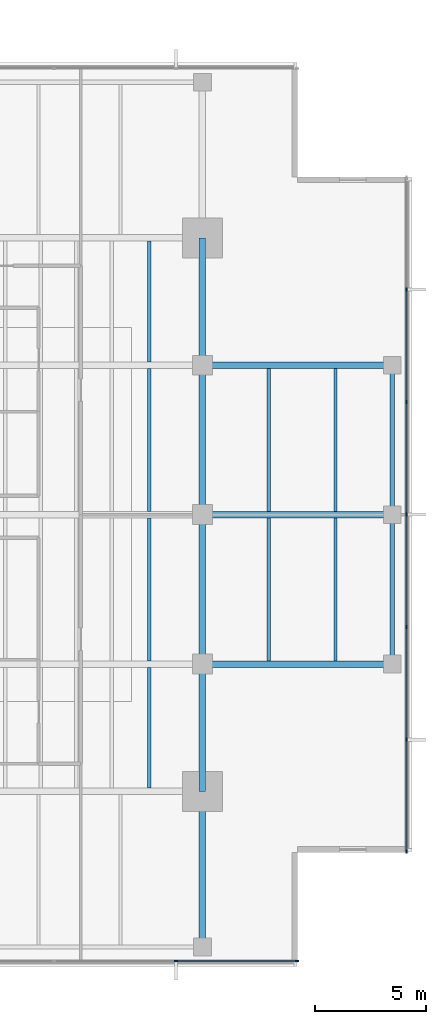
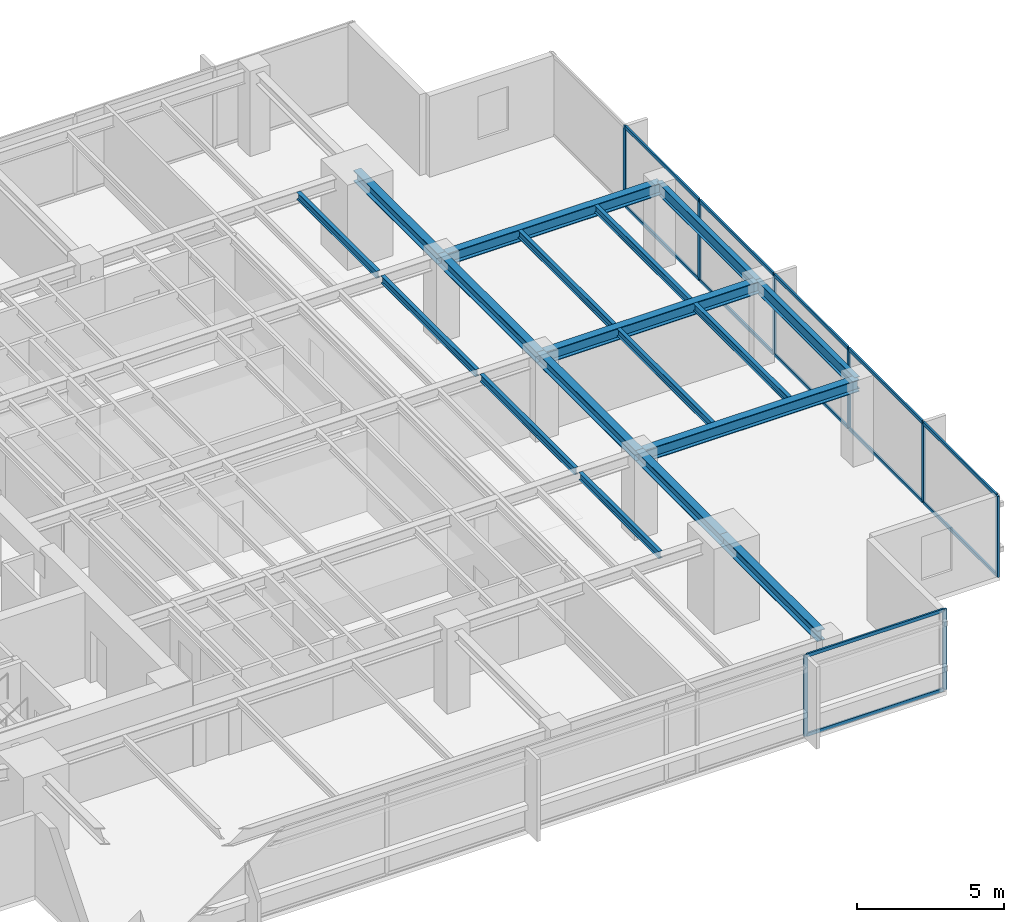
# One storey, part 4 of 14: 20 members, 18 beams, 2 elements without a shape of their own.
"""IFC4 building model written with IfcOpenShell, lengths in metres."""

from ifc_helpers import new_model, si_unit, direction, frame, origin, origin_2d, place, context, subcontext, project, spatial, rectangle, i_section, extrude, material, layer, layer_set, material_profile, profile_set, type_object, element, aggregate, save


model = new_model("IFC4")

# Units and contexts
model_context = context("Model", 3, precision=1e-05, world=origin(), true_north=direction((0.0, 1.0)))
body_context = subcontext(model_context, "Body", "Model", "MODEL_VIEW")
ifc_project = project(units=[si_unit("LENGTHUNIT", "METRE"), si_unit("AREAUNIT", "SQUARE_METRE"), si_unit("VOLUMEUNIT", "CUBIC_METRE"), si_unit("PLANEANGLEUNIT", "RADIAN"), si_unit("MASSUNIT", "GRAM", prefix="KILO")], contexts=[model_context])

# Site, building, storey
site_placement = place(None, origin())
site = spatial("IfcSite", under=ifc_project, at=site_placement, CompositionType="ELEMENT")
building_placement = place(site_placement, origin())
building = spatial("IfcBuilding", under=site, at=building_placement, Name="Kinhvarn Gate Tower", CompositionType="ELEMENT")
storey_placement = place(building_placement, frame((0.0, 0.0, 188.050048828125)))
storey = spatial("IfcBuildingStorey", under=building, at=storey_placement, Name="L49", CompositionType="ELEMENT", Elevation=188.050048828125)

# Curtain wall, members
ifc_material_1 = material(Name="Anodised aluminium AW-6063", Category="aluminium")
ifc_layer = layer(ifc_material_1, 0.179931640625)
ifc_layer_set = layer_set([ifc_layer], Name="Anodised aluminium AW-6063")
curtain_wall_type = type_object("IfcCurtainWallType", Name="CW-SYS-3", PredefinedType="NOTDEFINED", material=ifc_layer_set)
curtain_wall_1_placement = place(storey_placement, origin())
curtain_wall_1 = element("IfcCurtainWall", 1, at=curtain_wall_1_placement, inside=storey, type_object=curtain_wall_type, Name="Curtain Wall CW3 (L49)", PredefinedType="NOTDEFINED")
ifc_material_profile_1 = material_profile(ifc_material_1, rectangle(XDim=0.06494140625, YDim=0.159912109375, at=origin_2d()), Name="ALU 65x160")
ifc_profile_set_1 = profile_set([ifc_material_profile_1], Name="Anodised aluminium AW-6063")
member_type_1 = type_object("IfcMemberType", Name="CW-MUL-160", PredefinedType="MULLION", material=ifc_profile_set_1)
member_1_placement = place(storey_placement, frame((37.0, 5.090087890625, 0.0), z_axis=(0.0, 0.0, 1.0), x_axis=(0.0, 1.0, 0.0)))
member_1 = element("IfcMember", 2, at=member_1_placement, type_object=member_type_1, Name="CW3 mullion 6", PredefinedType="MULLION", context=body_context, shape_type="SweptSolid", body=[
    extrude(rectangle(XDim=0.06494140625, YDim=0.159912109375, at=origin_2d()), origin(), (0.0, 0.0, 1.0), 3.369873046875),
])
member_2_placement = place(storey_placement, frame((42.467529296875, 5.090087890625, 0.0), z_axis=(0.0, 0.0, 1.0), x_axis=(0.0, 1.0, 0.0)))
member_2 = element("IfcMember", 3, at=member_2_placement, type_object=member_type_1, Name="CW3 mullion 7", PredefinedType="MULLION", context=body_context, shape_type="SweptSolid", body=[
    extrude(rectangle(XDim=0.06494140625, YDim=0.159912109375, at=origin_2d()), origin(), (0.0, 0.0, 1.0), 3.369873046875),
])

curtain_wall_2_placement = place(storey_placement, origin())
curtain_wall_2 = element("IfcCurtainWall", 4, at=curtain_wall_2_placement, inside=storey, type_object=curtain_wall_type, Name="Curtain Wall CW3 (L49)", PredefinedType="NOTDEFINED")
member_3_placement = place(storey_placement, frame((47.409912109375, 10.032470703125, 0.0), z_axis=(0.0, 0.0, 1.0), x_axis=(-1.0, 0.0, 0.0)))
member_3 = element("IfcMember", 5, at=member_3_placement, type_object=member_type_1, Name="CW3 mullion 1", PredefinedType="MULLION", context=body_context, shape_type="SweptSolid", body=[
    extrude(rectangle(XDim=0.06494140625, YDim=0.159912109375, at=origin_2d()), origin(), (0.0, 0.0, 1.0), 3.369873046875),
])
member_4_placement = place(storey_placement, frame((47.409912109375, 15.083251953125, 0.0), z_axis=(0.0, 0.0, 1.0), x_axis=(-1.0, 0.0, 0.0)))
member_4 = element("IfcMember", 6, at=member_4_placement, type_object=member_type_1, Name="CW3 mullion 2", PredefinedType="MULLION", context=body_context, shape_type="SweptSolid", body=[
    extrude(rectangle(XDim=0.06494140625, YDim=0.159912109375, at=origin_2d()), origin(), (0.0, 0.0, 1.0), 3.369873046875),
])
member_5_placement = place(storey_placement, frame((47.409912109375, 20.166748046875, 0.0), z_axis=(0.0, 0.0, 1.0), x_axis=(-1.0, 0.0, 0.0)))
member_5 = element("IfcMember", 7, at=member_5_placement, type_object=member_type_1, Name="CW3 mullion 3", PredefinedType="MULLION", context=body_context, shape_type="SweptSolid", body=[
    extrude(rectangle(XDim=0.06494140625, YDim=0.159912109375, at=origin_2d()), origin(), (0.0, 0.0, 1.0), 3.369873046875),
])
member_6_placement = place(storey_placement, frame((47.409912109375, 25.25, 0.0), z_axis=(0.0, 0.0, 1.0), x_axis=(-1.0, 0.0, 0.0)))
member_6 = element("IfcMember", 8, at=member_6_placement, type_object=member_type_1, Name="CW3 mullion 4", PredefinedType="MULLION", context=body_context, shape_type="SweptSolid", body=[
    extrude(rectangle(XDim=0.06494140625, YDim=0.159912109375, at=origin_2d()), origin(), (0.0, 0.0, 1.0), 3.369873046875),
])
member_7_placement = place(storey_placement, frame((47.409912109375, 30.333251953125, 0.0), z_axis=(0.0, 0.0, 1.0), x_axis=(-1.0, 0.0, 0.0)))
member_7 = element("IfcMember", 9, at=member_7_placement, type_object=member_type_1, Name="CW3 mullion 5", PredefinedType="MULLION", context=body_context, shape_type="SweptSolid", body=[
    extrude(rectangle(XDim=0.06494140625, YDim=0.159912109375, at=origin_2d()), origin(), (0.0, 0.0, 1.0), 3.369873046875),
])
member_8_placement = place(storey_placement, frame((47.409912109375, 35.416748046875, 0.0), z_axis=(0.0, 0.0, 1.0), x_axis=(-1.0, 0.0, 0.0)))
member_8 = element("IfcMember", 10, at=member_8_placement, type_object=member_type_1, Name="CW3 mullion 6", PredefinedType="MULLION", context=body_context, shape_type="SweptSolid", body=[
    extrude(rectangle(XDim=0.06494140625, YDim=0.159912109375, at=origin_2d()), origin(), (0.0, 0.0, 1.0), 3.369873046875),
])

# Member
ifc_material_profile_2 = material_profile(ifc_material_1, rectangle(XDim=0.070068359375, YDim=0.139892578125, at=origin_2d()), Name="ALU 70x140")
ifc_profile_set_2 = profile_set([ifc_material_profile_2], Name="Anodised aluminium AW-6063")
member_type_2 = type_object("IfcMemberType", Name="CW-TRN-140", PredefinedType="USERDEFINED", material=ifc_profile_set_2)
member_9_placement = place(storey_placement, frame((37.032470703125, 5.090087890625, 0.034912109375), z_axis=(1.0, 0.0, 0.0), x_axis=(0.0, 1.0, 0.0)))
member_9 = element("IfcMember", 11, at=member_9_placement, type_object=member_type_2, Name="CW3 transom 6.1", ObjectType="TRANSOM", PredefinedType="USERDEFINED", context=body_context, shape_type="SweptSolid", body=[
    extrude(rectangle(XDim=0.070068359375, YDim=0.139892578125, at=origin_2d()), origin(), (0.0, 0.0, 1.0), 5.402587890625),
])

member_10_placement = place(storey_placement, frame((37.032470703125, 5.090087890625, 3.3349609375), z_axis=(1.0, 0.0, 0.0), x_axis=(0.0, 1.0, 0.0)))
member_10 = element("IfcMember", 12, at=member_10_placement, type_object=member_type_2, Name="CW3 transom 6.2", ObjectType="TRANSOM", PredefinedType="USERDEFINED", context=body_context, shape_type="SweptSolid", body=[
    extrude(rectangle(XDim=0.070068359375, YDim=0.139892578125, at=origin_2d()), origin(), (0.0, 0.0, 1.0), 5.402587890625),
])

aggregate(curtain_wall_1, [member_1, member_2, member_9, member_10])

member_11_placement = place(storey_placement, frame((47.409912109375, 10.06494140625, 0.034912109375), z_axis=(0.0, 1.0, 0.0), x_axis=(-1.0, 0.0, 0.0)))
member_11 = element("IfcMember", 13, at=member_11_placement, type_object=member_type_2, Name="CW3 transom 1.1", ObjectType="TRANSOM", PredefinedType="USERDEFINED", context=body_context, shape_type="SweptSolid", body=[
    extrude(rectangle(XDim=0.070068359375, YDim=0.139892578125, at=origin_2d()), origin(), (0.0, 0.0, 1.0), 4.98583984375),
])

member_12_placement = place(storey_placement, frame((47.409912109375, 10.06494140625, 3.3349609375), z_axis=(0.0, 1.0, 0.0), x_axis=(-1.0, 0.0, 0.0)))
member_12 = element("IfcMember", 14, at=member_12_placement, type_object=member_type_2, Name="CW3 transom 1.2", ObjectType="TRANSOM", PredefinedType="USERDEFINED", context=body_context, shape_type="SweptSolid", body=[
    extrude(rectangle(XDim=0.070068359375, YDim=0.139892578125, at=origin_2d()), origin(), (0.0, 0.0, 1.0), 4.98583984375),
])

member_13_placement = place(storey_placement, frame((47.409912109375, 15.11572265625, 0.034912109375), z_axis=(0.0, 1.0, 0.0), x_axis=(-1.0, 0.0, 0.0)))
member_13 = element("IfcMember", 15, at=member_13_placement, type_object=member_type_2, Name="CW3 transom 2.1", ObjectType="TRANSOM", PredefinedType="USERDEFINED", context=body_context, shape_type="SweptSolid", body=[
    extrude(rectangle(XDim=0.070068359375, YDim=0.139892578125, at=origin_2d()), origin(), (0.0, 0.0, 1.0), 5.0185546875),
])

member_14_placement = place(storey_placement, frame((47.409912109375, 15.11572265625, 3.3349609375), z_axis=(0.0, 1.0, 0.0), x_axis=(-1.0, 0.0, 0.0)))
member_14 = element("IfcMember", 16, at=member_14_placement, type_object=member_type_2, Name="CW3 transom 2.2", ObjectType="TRANSOM", PredefinedType="USERDEFINED", context=body_context, shape_type="SweptSolid", body=[
    extrude(rectangle(XDim=0.070068359375, YDim=0.139892578125, at=origin_2d()), origin(), (0.0, 0.0, 1.0), 5.0185546875),
])

member_15_placement = place(storey_placement, frame((47.409912109375, 20.19921875, 0.034912109375), z_axis=(0.0, 1.0, 0.0), x_axis=(-1.0, 0.0, 0.0)))
member_15 = element("IfcMember", 17, at=member_15_placement, type_object=member_type_2, Name="CW3 transom 3.1", ObjectType="TRANSOM", PredefinedType="USERDEFINED", context=body_context, shape_type="SweptSolid", body=[
    extrude(rectangle(XDim=0.070068359375, YDim=0.139892578125, at=origin_2d()), origin(), (0.0, 0.0, 1.0), 5.018310546875),
])

member_16_placement = place(storey_placement, frame((47.409912109375, 20.19921875, 3.3349609375), z_axis=(0.0, 1.0, 0.0), x_axis=(-1.0, 0.0, 0.0)))
member_16 = element("IfcMember", 18, at=member_16_placement, type_object=member_type_2, Name="CW3 transom 3.2", ObjectType="TRANSOM", PredefinedType="USERDEFINED", context=body_context, shape_type="SweptSolid", body=[
    extrude(rectangle(XDim=0.070068359375, YDim=0.139892578125, at=origin_2d()), origin(), (0.0, 0.0, 1.0), 5.018310546875),
])

member_17_placement = place(storey_placement, frame((47.409912109375, 25.282470703125, 0.034912109375), z_axis=(0.0, 1.0, 0.0), x_axis=(-1.0, 0.0, 0.0)))
member_17 = element("IfcMember", 19, at=member_17_placement, type_object=member_type_2, Name="CW3 transom 4.1", ObjectType="TRANSOM", PredefinedType="USERDEFINED", context=body_context, shape_type="SweptSolid", body=[
    extrude(rectangle(XDim=0.070068359375, YDim=0.139892578125, at=origin_2d()), origin(), (0.0, 0.0, 1.0), 5.018310546875),
])

member_18_placement = place(storey_placement, frame((47.409912109375, 25.282470703125, 3.3349609375), z_axis=(0.0, 1.0, 0.0), x_axis=(-1.0, 0.0, 0.0)))
member_18 = element("IfcMember", 20, at=member_18_placement, type_object=member_type_2, Name="CW3 transom 4.2", ObjectType="TRANSOM", PredefinedType="USERDEFINED", context=body_context, shape_type="SweptSolid", body=[
    extrude(rectangle(XDim=0.070068359375, YDim=0.139892578125, at=origin_2d()), origin(), (0.0, 0.0, 1.0), 5.018310546875),
])

member_19_placement = place(storey_placement, frame((47.409912109375, 30.36572265625, 0.034912109375), z_axis=(0.0, 1.0, 0.0), x_axis=(-1.0, 0.0, 0.0)))
member_19 = element("IfcMember", 21, at=member_19_placement, type_object=member_type_2, Name="CW3 transom 5.1", ObjectType="TRANSOM", PredefinedType="USERDEFINED", context=body_context, shape_type="SweptSolid", body=[
    extrude(rectangle(XDim=0.070068359375, YDim=0.139892578125, at=origin_2d()), origin(), (0.0, 0.0, 1.0), 5.0185546875),
])

member_20_placement = place(storey_placement, frame((47.409912109375, 30.36572265625, 3.3349609375), z_axis=(0.0, 1.0, 0.0), x_axis=(-1.0, 0.0, 0.0)))
member_20 = element("IfcMember", 22, at=member_20_placement, type_object=member_type_2, Name="CW3 transom 5.2", ObjectType="TRANSOM", PredefinedType="USERDEFINED", context=body_context, shape_type="SweptSolid", body=[
    extrude(rectangle(XDim=0.070068359375, YDim=0.139892578125, at=origin_2d()), origin(), (0.0, 0.0, 1.0), 5.0185546875),
])

aggregate(curtain_wall_2, [member_3, member_4, member_5, member_6, member_7, member_8, member_11, member_12, member_13, member_14, member_15, member_16, member_17, member_18, member_19, member_20])

# Beams
ifc_material_2 = material(Name="Steel S355", Category="steel")
ifc_material_profile_3 = material_profile(ifc_material_2, i_section(OverallWidth=0.300048828125, OverallDepth=0.449951171875, WebThickness=0.013916015625, FlangeThickness=0.02587890625, at=origin_2d()), Name="HEB 450")
ifc_profile_set_3 = profile_set([ifc_material_profile_3], Name="Steel S355")
beam_type_1 = type_object("IfcBeamType", Name="STL-HEB450", PredefinedType="BEAM", material=ifc_profile_set_3)
beam_1_placement = place(storey_placement, frame((38.199951171875, 6.10498046875, 3.14501953125), z_axis=(0.0, 1.0, 0.0), x_axis=(-1.0, 0.0, 0.0)))
element("IfcBeam", 23, at=beam_1_placement, inside=storey, type_object=beam_type_1, Name="Floor Beam PG-13 (L49 MCE-S)", PredefinedType="BEAM", context=body_context, shape_type="SweptSolid", body=[
    extrude(i_section(OverallWidth=0.300048828125, OverallDepth=0.449951171875, WebThickness=0.013916015625, FlangeThickness=0.02587890625, at=origin_2d()), origin(), (0.0, 0.0, 1.0), 6.64501953125),
])
beam_2_placement = place(storey_placement, frame((38.199951171875, 12.75, 3.14501953125), z_axis=(0.0, 1.0, 0.0), x_axis=(-1.0, 0.0, 0.0)))
element("IfcBeam", 24, at=beam_2_placement, inside=storey, type_object=beam_type_1, Name="Floor Beam PG-13 (L49 MG-E-12)", PredefinedType="BEAM", context=body_context, shape_type="SweptSolid", body=[
    extrude(i_section(OverallWidth=0.300048828125, OverallDepth=0.449951171875, WebThickness=0.013916015625, FlangeThickness=0.02587890625, at=origin_2d()), origin(), (0.0, 0.0, 1.0), 5.75),
])
for number, where, z_axis, x_axis, name in (
    (25, (38.199951171875, 18.5, 3.14501953125), (0.0, 1.0, 0.0), (-1.0, 0.0, 0.0), "Floor Beam PG-13 (L49 MG-E-18)"),
    (26, (38.199951171875, 25.25, 3.14501953125), (0.0, 1.0, 0.0), (-1.0, 0.0, 0.0), "Floor Beam PG-13 (L49 MG-E-25)"),
):
    element("IfcBeam", number, at=place(storey_placement, frame(where, z_axis=z_axis, x_axis=x_axis)), inside=storey, type_object=beam_type_1, Name=name, PredefinedType="BEAM", context=body_context, shape_type="SweptSolid", body=[
        extrude(i_section(OverallWidth=0.300048828125, OverallDepth=0.449951171875, WebThickness=0.013916015625, FlangeThickness=0.02587890625, at=origin_2d()), origin(), (0.0, 0.0, 1.0), 6.75),
    ])
beam_3_placement = place(storey_placement, frame((38.199951171875, 32.0, 3.14501953125), z_axis=(0.0, 1.0, 0.0), x_axis=(-1.0, 0.0, 0.0)))
element("IfcBeam", 27, at=beam_3_placement, inside=storey, type_object=beam_type_1, Name="Floor Beam PG-13 (L49 MG-E-32)", PredefinedType="BEAM", context=body_context, shape_type="SweptSolid", body=[
    extrude(i_section(OverallWidth=0.300048828125, OverallDepth=0.449951171875, WebThickness=0.013916015625, FlangeThickness=0.02587890625, at=origin_2d()), origin(), (0.0, 0.0, 1.0), 5.75),
])
ifc_material_profile_4 = material_profile(ifc_material_2, i_section(OverallWidth=0.300048828125, OverallDepth=0.5, WebThickness=0.014404296875, FlangeThickness=0.028076171875, at=origin_2d()), Name="HEB 500")
ifc_profile_set_4 = profile_set([ifc_material_profile_4], Name="Steel S355")
beam_type_2 = type_object("IfcBeamType", Name="STL-HEB500", PredefinedType="BEAM", material=ifc_profile_set_4)
for number, where, z_axis, x_axis, name in (
    (28, (38.199951171875, 18.5, 3.119873046875), (1.0, 0.0, 0.0), (0.0, 1.0, 0.0), "Floor Beam PG-14 (L49 EW2-Y18)"),
    (29, (38.199951171875, 25.25, 3.119873046875), (1.0, 0.0, 0.0), (0.0, 1.0, 0.0), "Floor Beam PG-14 (L49 EW2-Y25)"),
    (30, (38.199951171875, 32.0, 3.119873046875), (1.0, 0.0, 0.0), (0.0, 1.0, 0.0), "Floor Beam PG-14 (L49 EW2-Y32)"),
):
    element("IfcBeam", number, at=place(storey_placement, frame(where, z_axis=z_axis, x_axis=x_axis)), inside=storey, type_object=beam_type_2, Name=name, PredefinedType="BEAM", context=body_context, shape_type="SweptSolid", body=[
        extrude(i_section(OverallWidth=0.300048828125, OverallDepth=0.5, WebThickness=0.014404296875, FlangeThickness=0.028076171875, at=origin_2d()), origin(), (0.0, 0.0, 1.0), 8.580078125),
    ])
ifc_material_profile_5 = material_profile(ifc_material_2, i_section(OverallWidth=0.14990234375, OverallDepth=0.300048828125, WebThickness=0.007080078125, FlangeThickness=0.0107421875, at=origin_2d()), Name="IPE 300")
ifc_profile_set_5 = profile_set([ifc_material_profile_5], Name="Steel S355")
beam_type_3 = type_object("IfcBeamType", Name="STL-IPE300", PredefinedType="JOIST", material=ifc_profile_set_5)
beam_4_placement = place(storey_placement, frame((35.800048828125, 12.89990234375, 3.219970703125), z_axis=(0.0, 1.0, 0.0), x_axis=(-1.0, 0.0, 0.0)))
element("IfcBeam", 31, at=beam_4_placement, inside=storey, type_object=beam_type_3, Name="Floor Joist SB-02 (L49 JC-X358-0)", PredefinedType="JOIST", context=body_context, shape_type="SweptSolid", body=[
    extrude(i_section(OverallWidth=0.14990234375, OverallDepth=0.300048828125, WebThickness=0.007080078125, FlangeThickness=0.0107421875, at=origin_2d()), origin(), (0.0, 0.0, 1.0), 5.4501953125),
])
for number, where, z_axis, x_axis, name in (
    (32, (35.800048828125, 18.64990234375, 3.219970703125), (0.0, 1.0, 0.0), (-1.0, 0.0, 0.0), "Floor Joist SB-02 (L49 JC-X358-1)"),
    (33, (35.800048828125, 25.39990234375, 3.219970703125), (0.0, 1.0, 0.0), (-1.0, 0.0, 0.0), "Floor Joist SB-02 (L49 JC-X358-2)"),
):
    element("IfcBeam", number, at=place(storey_placement, frame(where, z_axis=z_axis, x_axis=x_axis)), inside=storey, type_object=beam_type_3, Name=name, PredefinedType="JOIST", context=body_context, shape_type="SweptSolid", body=[
        extrude(i_section(OverallWidth=0.14990234375, OverallDepth=0.300048828125, WebThickness=0.007080078125, FlangeThickness=0.0107421875, at=origin_2d()), origin(), (0.0, 0.0, 1.0), 6.4501953125),
    ])
beam_5_placement = place(storey_placement, frame((35.800048828125, 32.14990234375, 3.219970703125), z_axis=(0.0, 1.0, 0.0), x_axis=(-1.0, 0.0, 0.0)))
element("IfcBeam", 34, at=beam_5_placement, inside=storey, type_object=beam_type_3, Name="Floor Joist SB-02 (L49 JC-X358-3)", PredefinedType="JOIST", context=body_context, shape_type="SweptSolid", body=[
    extrude(i_section(OverallWidth=0.14990234375, OverallDepth=0.300048828125, WebThickness=0.007080078125, FlangeThickness=0.0107421875, at=origin_2d()), origin(), (0.0, 0.0, 1.0), 5.4501953125),
])
for number, where, z_axis, x_axis, name in (
    (35, (41.199951171875, 18.64990234375, 3.219970703125), (0.0, 1.0, 0.0), (-1.0, 0.0, 0.0), "Floor Joist SB-02 (L49 JC-X412-1)"),
    (36, (41.199951171875, 25.39990234375, 3.219970703125), (0.0, 1.0, 0.0), (-1.0, 0.0, 0.0), "Floor Joist SB-02 (L49 JC-X412-2)"),
    (37, (44.2099609375, 18.64990234375, 3.219970703125), (0.0, 1.0, 0.0), (-1.0, 0.0, 0.0), "Floor Joist SB-02 (L49 JC-X442-1)"),
    (38, (44.2099609375, 25.39990234375, 3.219970703125), (0.0, 1.0, 0.0), (-1.0, 0.0, 0.0), "Floor Joist SB-02 (L49 JC-X442-2)"),
):
    element("IfcBeam", number, at=place(storey_placement, frame(where, z_axis=z_axis, x_axis=x_axis)), inside=storey, type_object=beam_type_3, Name=name, PredefinedType="JOIST", context=body_context, shape_type="SweptSolid", body=[
        extrude(i_section(OverallWidth=0.14990234375, OverallDepth=0.300048828125, WebThickness=0.007080078125, FlangeThickness=0.0107421875, at=origin_2d()), origin(), (0.0, 0.0, 1.0), 6.4501953125),
    ])
ifc_material_profile_6 = material_profile(ifc_material_2, i_section(OverallWidth=0.199951171875, OverallDepth=0.5, WebThickness=0.01025390625, FlangeThickness=0.01611328125, at=origin_2d()), Name="IPE 500")
ifc_profile_set_6 = profile_set([ifc_material_profile_6], Name="Steel S355")
beam_type_4 = type_object("IfcBeamType", Name="STL-IPE500", PredefinedType="SPANDREL", material=ifc_profile_set_6)
for number, where, z_axis, x_axis, name in (
    (39, (46.780029296875, 18.5, 3.119873046875), (0.0, 1.0, 0.0), (-1.0, 0.0, 0.0), "Floor Spandrel SB-07 (L49 SP-E2)"),
    (40, (46.780029296875, 25.25, 3.119873046875), (0.0, 1.0, 0.0), (-1.0, 0.0, 0.0), "Floor Spandrel SB-07 (L49 SP-E3)"),
):
    element("IfcBeam", number, at=place(storey_placement, frame(where, z_axis=z_axis, x_axis=x_axis)), inside=storey, type_object=beam_type_4, Name=name, PredefinedType="SPANDREL", context=body_context, shape_type="SweptSolid", body=[
        extrude(i_section(OverallWidth=0.199951171875, OverallDepth=0.5, WebThickness=0.01025390625, FlangeThickness=0.01611328125, at=origin_2d()), origin(), (0.0, 0.0, 1.0), 6.75),
    ])

save(model, "model.ifc")
